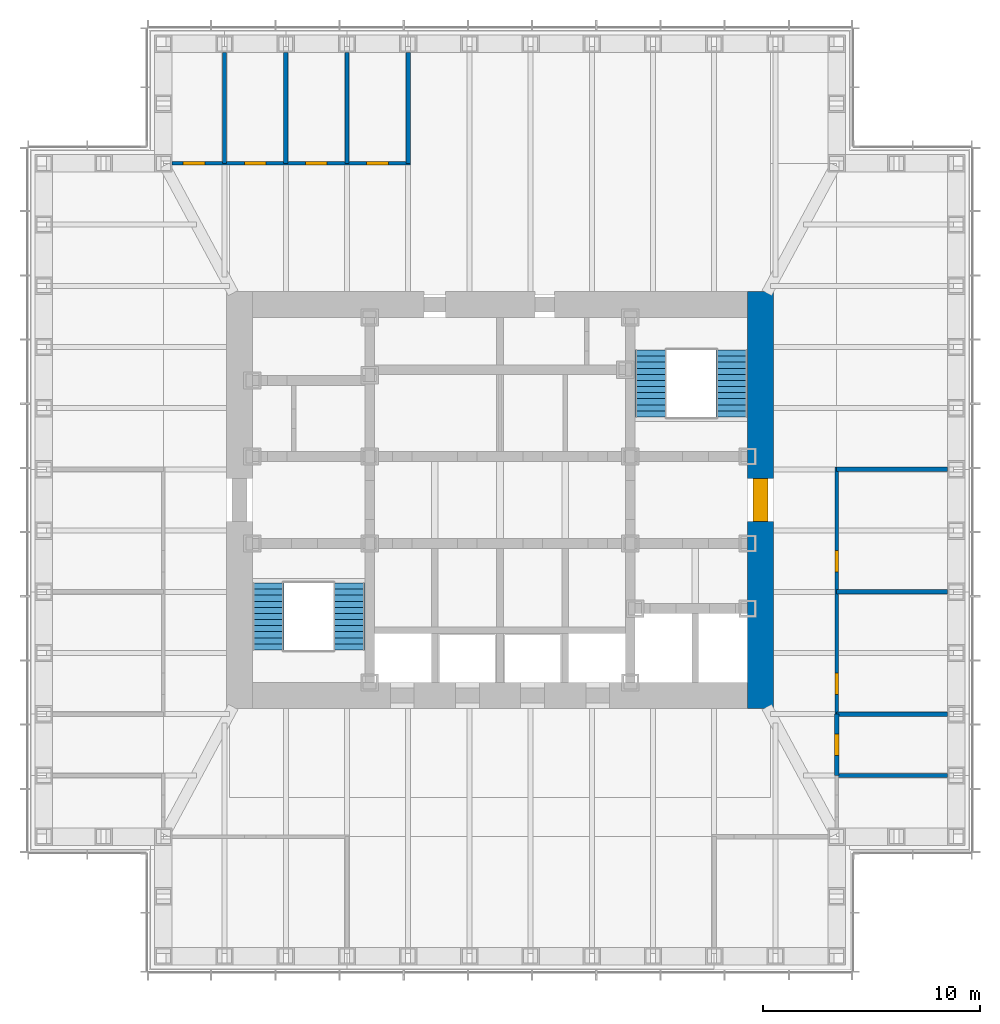
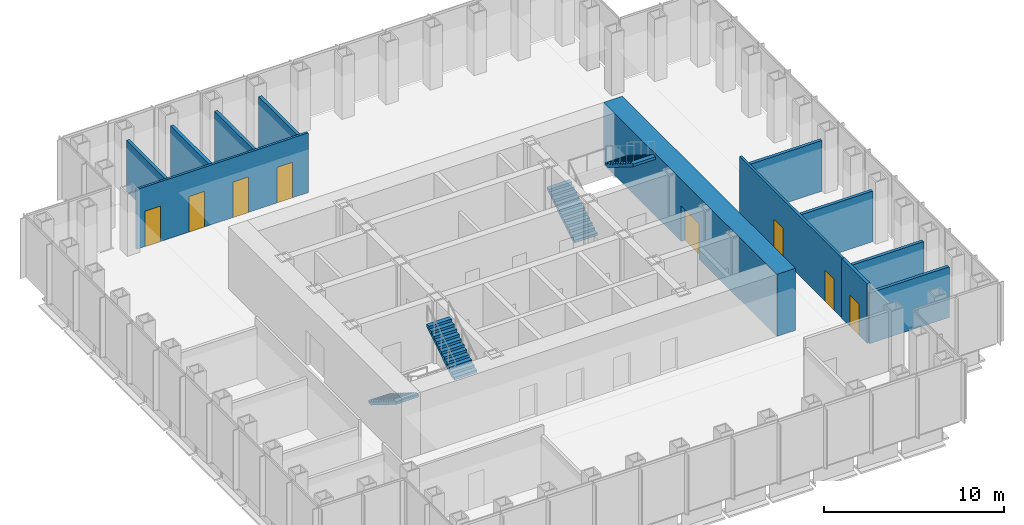
# One storey, part 10 of 16: 12 walls, 8 doors, 4 stair flights, 8 openings, 2 elements without a shape of their own.
"""IFC4 building model written with IfcOpenShell, lengths in metres."""

from ifc_helpers import new_model, si_unit, direction, frame, frame_2d, origin, place, context, subcontext, project, spatial, polyline, rectangle, outline, extrude, material, layer, layer_set, type_object, element, fill, aggregate, save


model = new_model("IFC4")

# Units and contexts
model_context = context("Model", 3, precision=1e-05, world=origin(), true_north=direction((0.0, 1.0)))
body_context = subcontext(model_context, "Body", "Model", "MODEL_VIEW")
ifc_project = project(units=[si_unit("LENGTHUNIT", "METRE"), si_unit("AREAUNIT", "SQUARE_METRE"), si_unit("VOLUMEUNIT", "CUBIC_METRE"), si_unit("PLANEANGLEUNIT", "RADIAN"), si_unit("MASSUNIT", "GRAM", prefix="KILO")], contexts=[model_context])

# Site, building, storey
site_placement = place(None, origin())
site = spatial("IfcSite", under=ifc_project, at=site_placement, CompositionType="ELEMENT")
building_placement = place(site_placement, origin())
building = spatial("IfcBuilding", under=site, at=building_placement, Name="Daluyong Arena Tower", CompositionType="ELEMENT")
storey_placement = place(building_placement, frame((0.0, 0.0, 231.699951171875)))
storey = spatial("IfcBuildingStorey", under=building, at=storey_placement, Name="L52", CompositionType="ELEMENT", Elevation=231.699951171875)

# Wall, opening, door
ifc_material_1 = material(Name="Concrete fc' 60 MPa", Category="concrete")
ifc_layer_1 = layer(ifc_material_1, 1.199951171875)
ifc_layer_set_1 = layer_set([ifc_layer_1], Name="Concrete fc' 60 MPa")
wall_type_1 = type_object("IfcWallType", Name="Core wall 1200", PredefinedType="SHEAR", material=ifc_layer_set_1)
wall_1_placement = place(storey_placement, frame((68.0, 70.39990234375, 0.0), z_axis=(0.0, 0.0, 1.0), x_axis=(0.0, 1.0, 0.0)))
wall_1 = element("IfcWall", 1, at=wall_1_placement, inside=storey, type_object=wall_type_1, Name="core wall at L52", PredefinedType="SHEAR", context=body_context, shape_type="SweptSolid", body=[
    extrude(rectangle(XDim=19.2001953125, YDim=1.199951171875, at=frame_2d((9.60009765625, 0.0))), origin(), (0.0, 0.0, 1.0), 4.199951171875),
])
opening_1_placement = place(wall_1_placement, frame((8.60009765625, 0.0, 0.0)))
opening_1 = element("IfcOpeningElement", 2, at=opening_1_placement, cuts=wall_1, Name="Opening 52018", PredefinedType="OPENING", context=body_context, shape_type="SweptSolid", body=[
    extrude(rectangle(XDim=2.0, YDim=2.39990234375, at=frame_2d((1.0, 1.199951171875))), frame((0.0, 0.60986328125, 0.0), z_axis=(0.0, -1.0, 0.0), x_axis=(1.0, 0.0, 0.0)), (0.0, 0.0, 1.0), 1.219970703125),
])
ifc_material_2 = material(Name="Steel door, fire rated", Category="steel")
door_type_1 = type_object("IfcDoorType", Name="Core lobby double door 2000", OperationType="DOUBLE_DOOR_SINGLE_SWING", PredefinedType="DOOR", material=ifc_material_2)
door_1_placement = place(opening_1_placement, origin())
door_1 = element("IfcDoor", 3, at=door_1_placement, inside=storey, type_object=door_type_1, Name="core lobby door east 52018", OperationType="DOUBLE_DOOR_SINGLE_SWING", OverallHeight=2.39990234375, OverallWidth=2.0, PredefinedType="DOOR", context=body_context, shape_type="SweptSolid", body=[
    extrude(rectangle(XDim=2.0, YDim=2.39990234375, at=frame_2d((1.0, 1.199951171875))), frame((0.0, 0.35009765625, 0.0), z_axis=(0.0, -1.0, 0.0), x_axis=(1.0, 0.0, 0.0)), (0.0, 0.0, 1.0), 0.699951171875),
])
fill(opening_1, door_1)

# Wall, openings, doors
ifc_material_3 = material(Name="Glazed aluminium partition", Category="aluminium")
ifc_layer_2 = layer(ifc_material_3, 0.14990234375)
ifc_layer_set_2 = layer_set([ifc_layer_2], Name="Glazed aluminium partition")
wall_type_2 = type_object("IfcWallType", Name="Glazed partition 150", PredefinedType="PARTITIONING", material=ifc_layer_set_2)
wall_2_placement = place(storey_placement, frame((40.89990234375, 95.5, 0.0), z_axis=(0.0, 0.0, 1.0), x_axis=(1.0, 0.0, 0.0)))
wall_2 = element("IfcWall", 4, at=wall_2_placement, inside=storey, type_object=wall_type_2, Name="glazed partition at L52", PredefinedType="PARTITIONING", context=body_context, shape_type="SweptSolid", body=[
    extrude(rectangle(XDim=10.972900390625, YDim=0.14990234375, at=frame_2d((5.486328125, 0.0))), origin(), (0.0, 0.0, 1.0), 4.0400390625),
])
opening_2_placement = place(wall_2_placement, frame((0.509033203125, 0.0, 0.0)))
opening_2 = element("IfcOpeningElement", 5, at=opening_2_placement, cuts=wall_2, Name="Opening 52034", PredefinedType="OPENING", context=body_context, shape_type="SweptSolid", body=[
    extrude(rectangle(XDim=1.0, YDim=2.39990234375, at=frame_2d((0.5, 1.199951171875))), frame((0.0, 0.0849609375, 0.0), z_axis=(0.0, -1.0, 0.0), x_axis=(1.0, 0.0, 0.0)), (0.0, 0.0, 1.0), 0.169921875),
])
opening_3_placement = place(wall_2_placement, frame((3.327392578125, 0.0, 0.0)))
opening_3 = element("IfcOpeningElement", 6, at=opening_3_placement, cuts=wall_2, Name="Opening 52035", PredefinedType="OPENING", context=body_context, shape_type="SweptSolid", body=[
    extrude(rectangle(XDim=1.0, YDim=2.39990234375, at=frame_2d((0.5, 1.199951171875))), frame((0.0, 0.0849609375, 0.0), z_axis=(0.0, -1.0, 0.0), x_axis=(1.0, 0.0, 0.0)), (0.0, 0.0, 1.0), 0.169921875),
])
opening_4_placement = place(wall_2_placement, frame((6.1455078125, 0.0, 0.0)))
opening_4 = element("IfcOpeningElement", 7, at=opening_4_placement, cuts=wall_2, Name="Opening 52036", PredefinedType="OPENING", context=body_context, shape_type="SweptSolid", body=[
    extrude(rectangle(XDim=1.0, YDim=2.39990234375, at=frame_2d((0.5, 1.199951171875))), frame((0.0, 0.0849609375, 0.0), z_axis=(0.0, -1.0, 0.0), x_axis=(1.0, 0.0, 0.0)), (0.0, 0.0, 1.0), 0.169921875),
])
opening_5_placement = place(wall_2_placement, frame((8.963623046875, 0.0, 0.0)))
opening_5 = element("IfcOpeningElement", 8, at=opening_5_placement, cuts=wall_2, Name="Opening 52037", PredefinedType="OPENING", context=body_context, shape_type="SweptSolid", body=[
    extrude(rectangle(XDim=1.0, YDim=2.39990234375, at=frame_2d((0.5, 1.199951171875))), frame((0.0, 0.0849609375, 0.0), z_axis=(0.0, -1.0, 0.0), x_axis=(1.0, 0.0, 0.0)), (0.0, 0.0, 1.0), 0.169921875),
])
ifc_material_4 = material(Name="Glazed aluminium door", Category="aluminium")
door_type_2 = type_object("IfcDoorType", Name="Meeting room glazed door 1000", OperationType="SINGLE_SWING_RIGHT", PredefinedType="DOOR", material=ifc_material_4)
door_2_placement = place(opening_2_placement, origin())
door_2 = element("IfcDoor", 9, at=door_2_placement, inside=storey, type_object=door_type_2, Name="focus room door 52034", OperationType="SINGLE_SWING_RIGHT", OverallHeight=2.39990234375, OverallWidth=1.0, PredefinedType="DOOR", context=body_context, shape_type="SweptSolid", body=[
    extrude(rectangle(XDim=1.0, YDim=2.39990234375, at=frame_2d((0.5, 1.199951171875))), frame((0.0, 0.07470703125, 0.0), z_axis=(0.0, -1.0, 0.0), x_axis=(1.0, 0.0, 0.0)), (0.0, 0.0, 1.0), 0.1494140625),
])
fill(opening_2, door_2)
door_3_placement = place(opening_3_placement, origin())
door_3 = element("IfcDoor", 10, at=door_3_placement, inside=storey, type_object=door_type_2, Name="focus room door 52035", OperationType="SINGLE_SWING_RIGHT", OverallHeight=2.39990234375, OverallWidth=1.0, PredefinedType="DOOR", context=body_context, shape_type="SweptSolid", body=[
    extrude(rectangle(XDim=1.0, YDim=2.39990234375, at=frame_2d((0.5, 1.199951171875))), frame((0.0, 0.07470703125, 0.0), z_axis=(0.0, -1.0, 0.0), x_axis=(1.0, 0.0, 0.0)), (0.0, 0.0, 1.0), 0.1494140625),
])
fill(opening_3, door_3)
door_4_placement = place(opening_4_placement, origin())
door_4 = element("IfcDoor", 11, at=door_4_placement, inside=storey, type_object=door_type_2, Name="focus room door 52036", OperationType="SINGLE_SWING_RIGHT", OverallHeight=2.39990234375, OverallWidth=1.0, PredefinedType="DOOR", context=body_context, shape_type="SweptSolid", body=[
    extrude(rectangle(XDim=1.0, YDim=2.39990234375, at=frame_2d((0.5, 1.199951171875))), frame((0.0, 0.07470703125, 0.0), z_axis=(0.0, -1.0, 0.0), x_axis=(1.0, 0.0, 0.0)), (0.0, 0.0, 1.0), 0.1494140625),
])
fill(opening_4, door_4)
door_5_placement = place(opening_5_placement, origin())
door_5 = element("IfcDoor", 12, at=door_5_placement, inside=storey, type_object=door_type_2, Name="focus room door 52037", OperationType="SINGLE_SWING_RIGHT", OverallHeight=2.39990234375, OverallWidth=1.0, PredefinedType="DOOR", context=body_context, shape_type="SweptSolid", body=[
    extrude(rectangle(XDim=1.0, YDim=2.39990234375, at=frame_2d((0.5, 1.199951171875))), frame((0.0, 0.07470703125, 0.0), z_axis=(0.0, -1.0, 0.0), x_axis=(1.0, 0.0, 0.0)), (0.0, 0.0, 1.0), 0.1494140625),
])
fill(opening_5, door_5)

wall_3_placement = place(storey_placement, frame((71.5, 70.136474609375, 0.0), z_axis=(0.0, 0.0, 1.0), x_axis=(0.0, 1.0, 0.0)))
wall_3 = element("IfcWall", 13, at=wall_3_placement, inside=storey, type_object=wall_type_2, Name="glazed partition at L52", PredefinedType="PARTITIONING", context=body_context, shape_type="SweptSolid", body=[
    extrude(rectangle(XDim=11.37255859375, YDim=0.14990234375, at=frame_2d((5.686279296875, 0.0))), origin(), (0.0, 0.0, 1.0), 4.0400390625),
])
opening_6_placement = place(wall_3_placement, frame((0.9091796875, 0.0, 0.0)))
opening_6 = element("IfcOpeningElement", 14, at=opening_6_placement, cuts=wall_3, Name="Opening 52032", PredefinedType="OPENING", context=body_context, shape_type="SweptSolid", body=[
    extrude(rectangle(XDim=1.0, YDim=2.10009765625, at=frame_2d((0.5, 1.050048828125))), frame((0.0, 0.0849609375, 0.0), z_axis=(0.0, -1.0, 0.0), x_axis=(1.0, 0.0, 0.0)), (0.0, 0.0, 1.0), 0.169921875),
])
opening_7_placement = place(wall_3_placement, frame((6.54541015625, 0.0, 0.0)))
opening_7 = element("IfcOpeningElement", 15, at=opening_7_placement, cuts=wall_3, Name="Opening 52033", PredefinedType="OPENING", context=body_context, shape_type="SweptSolid", body=[
    extrude(rectangle(XDim=1.0, YDim=2.10009765625, at=frame_2d((0.5, 1.050048828125))), frame((0.0, 0.0849609375, 0.0), z_axis=(0.0, -1.0, 0.0), x_axis=(1.0, 0.0, 0.0)), (0.0, 0.0, 1.0), 0.169921875),
])
ifc_material_5 = material(Name="Timber door", Category="wood")
door_type_3 = type_object("IfcDoorType", Name="Room door 1000", OperationType="SINGLE_SWING_LEFT", PredefinedType="DOOR", material=ifc_material_5)
door_6_placement = place(opening_6_placement, origin())
door_6 = element("IfcDoor", 16, at=door_6_placement, inside=storey, type_object=door_type_3, Name="executive office door 52032", OperationType="SINGLE_SWING_LEFT", OverallHeight=2.10009765625, OverallWidth=1.0, PredefinedType="DOOR", context=body_context, shape_type="SweptSolid", body=[
    extrude(rectangle(XDim=1.0, YDim=2.10009765625, at=frame_2d((0.5, 1.050048828125))), frame((0.0, 0.07470703125, 0.0), z_axis=(0.0, -1.0, 0.0), x_axis=(1.0, 0.0, 0.0)), (0.0, 0.0, 1.0), 0.1494140625),
])
fill(opening_6, door_6)
door_7_placement = place(opening_7_placement, origin())
door_7 = element("IfcDoor", 17, at=door_7_placement, inside=storey, type_object=door_type_3, Name="executive office door 52033", OperationType="SINGLE_SWING_LEFT", OverallHeight=2.10009765625, OverallWidth=1.0, PredefinedType="DOOR", context=body_context, shape_type="SweptSolid", body=[
    extrude(rectangle(XDim=1.0, YDim=2.10009765625, at=frame_2d((0.5, 1.050048828125))), frame((0.0, 0.07470703125, 0.0), z_axis=(0.0, -1.0, 0.0), x_axis=(1.0, 0.0, 0.0)), (0.0, 0.0, 1.0), 0.1494140625),
])
fill(opening_7, door_7)

# Walls
ifc_material_6 = material(Name="Concrete block partition", Category="concrete")
ifc_layer_3 = layer(ifc_material_6, 0.199951171875)
ifc_layer_set_3 = layer_set([ifc_layer_3], Name="Concrete block partition")
wall_type_3 = type_object("IfcWallType", Name="Partition 200", PredefinedType="PARTITIONING", material=ifc_layer_set_3)
for number, where, z_axis, x_axis, name in (
    (18, (71.5, 67.318115234375, 0.0), (0.0, 0.0, 1.0), (1.0, 0.0, 0.0), "partition at L52"),
    (19, (71.5, 70.136474609375, 0.0), (0.0, 0.0, 1.0), (1.0, 0.0, 0.0), "partition at L52"),
    (20, (71.5, 75.772705078125, 0.0), (0.0, 0.0, 1.0), (1.0, 0.0, 0.0), "partition at L52"),
    (21, (71.5, 81.4091796875, 0.0), (0.0, 0.0, 1.0), (1.0, 0.0, 0.0), "partition at L52"),
    (22, (43.318115234375, 95.5, 0.0), (0.0, 0.0, 1.0), (0.0, 1.0, 0.0), "partition at L52"),
    (23, (46.136474609375, 95.5, 0.0), (0.0, 0.0, 1.0), (0.0, 1.0, 0.0), "partition at L52"),
    (24, (48.95458984375, 95.5, 0.0), (0.0, 0.0, 1.0), (0.0, 1.0, 0.0), "partition at L52"),
    (25, (51.772705078125, 95.5, 0.0), (0.0, 0.0, 1.0), (0.0, 1.0, 0.0), "partition at L52"),
):
    element("IfcWall", number, at=place(storey_placement, frame(where, z_axis=z_axis, x_axis=x_axis)), inside=storey, type_object=wall_type_3, Name=name, PredefinedType="PARTITIONING", context=body_context, shape_type="SweptSolid", body=[
        extrude(rectangle(XDim=5.10009765625, YDim=0.199951171875, at=frame_2d((2.550048828125, 0.0))), origin(), (0.0, 0.0, 1.0), 3.427978515625),
    ])

# Wall, opening, door
wall_4_placement = place(storey_placement, frame((71.5, 67.318115234375, 0.0), z_axis=(0.0, 0.0, 1.0), x_axis=(0.0, 1.0, 0.0)))
wall_4 = element("IfcWall", 26, at=wall_4_placement, inside=storey, type_object=wall_type_3, Name="partition at L52", PredefinedType="PARTITIONING", context=body_context, shape_type="SweptSolid", body=[
    extrude(rectangle(XDim=2.818359375, YDim=0.199951171875, at=frame_2d((1.4091796875, 0.0))), origin(), (0.0, 0.0, 1.0), 4.0400390625),
])
opening_8_placement = place(wall_4_placement, frame((0.9091796875, 0.0, 0.0)))
opening_8 = element("IfcOpeningElement", 27, at=opening_8_placement, cuts=wall_4, Name="Opening 52031", PredefinedType="OPENING", context=body_context, shape_type="SweptSolid", body=[
    extrude(rectangle(XDim=1.0, YDim=2.10009765625, at=frame_2d((0.5, 1.050048828125))), frame((0.0, 0.10986328125, 0.0), z_axis=(0.0, -1.0, 0.0), x_axis=(1.0, 0.0, 0.0)), (0.0, 0.0, 1.0), 0.219970703125),
])
door_8_placement = place(opening_8_placement, origin())
door_8 = element("IfcDoor", 28, at=door_8_placement, inside=storey, type_object=door_type_3, Name="quiet room door 52031", OperationType="SINGLE_SWING_LEFT", OverallHeight=2.10009765625, OverallWidth=1.0, PredefinedType="DOOR", context=body_context, shape_type="SweptSolid", body=[
    extrude(rectangle(XDim=1.0, YDim=2.10009765625, at=frame_2d((0.5, 1.050048828125))), frame((0.0, 0.099609375, 0.0), z_axis=(0.0, -1.0, 0.0), x_axis=(1.0, 0.0, 0.0)), (0.0, 0.0, 1.0), 0.199462890625),
])
fill(opening_8, door_8)

# Stair, stair flights
ifc_material_7 = material(Name="Concrete fc' 35 MPa", Category="concrete")
stair_type = type_object("IfcStairType", Name="Core exit stair", PredefinedType="HALF_TURN_STAIR", material=ifc_material_7)
stair_1_placement = place(storey_placement, origin())
stair_1 = element("IfcStair", 29, at=stair_1_placement, inside=storey, type_object=stair_type, Name="exit stair A L52", PredefinedType="HALF_TURN_STAIR")
ifc_material_8 = material(Name="Concrete fc' 35 MPa", Category="concrete")
stair_flight_type = type_object("IfcStairFlightType", Name="Core stair flight", PredefinedType="STRAIGHT", material=ifc_material_8)
stair_flight_1_placement = place(storey_placement, frame((45.324951171875, 76.175048828125, 0.0), z_axis=(0.0, 0.0, 1.0), x_axis=(0.0, -1.0, 0.0)))
stair_flight_1 = element("IfcStairFlight", 30, at=stair_flight_1_placement, type_object=stair_flight_type, Name="STA flight 1", NumberOfRisers=12, NumberOfTreads=11, PredefinedType="STRAIGHT", RiserHeight=0.175, TreadLength=0.28, context=body_context, shape_type="SweptSolid", body=[
    extrude(outline(polyline([(0.0, 0.0), (0.0, 0.175048828125), (0.280029296875, 0.175048828125), (0.280029296875, 0.35009765625), (0.56005859375, 0.35009765625), (0.56005859375, 0.52490234375), (0.840087890625, 0.52490234375), (0.840087890625, 0.699951171875), (1.1201171875, 0.699951171875), (1.1201171875, 0.875), (1.39990234375, 0.875), (1.39990234375, 1.050048828125), (1.679931640625, 1.050048828125), (1.679931640625, 1.22509765625), (1.9599609375, 1.22509765625), (1.9599609375, 1.39990234375), (2.239990234375, 1.39990234375), (2.239990234375, 1.574951171875), (2.52001953125, 1.574951171875), (2.52001953125, 1.75), (2.800048828125, 1.75), (2.800048828125, 1.925048828125), (3.080078125, 1.925048828125), (3.080078125, 2.10009765625), (3.080078125, 1.748291015625), (0.28271484375, 0.0), (0.0, 0.0)])), frame((0.0, 0.72509765625, 0.0), z_axis=(0.0, -1.0, 0.0), x_axis=(1.0, 0.0, 0.0)), (0.0, 0.0, 1.0), 1.449951171875),
])
stair_flight_2_placement = place(storey_placement, frame((49.050048828125, 73.094970703125, 2.10009765625), z_axis=(0.0, 0.0, 1.0), x_axis=(0.0, 1.0, 0.0)))
stair_flight_2 = element("IfcStairFlight", 31, at=stair_flight_2_placement, type_object=stair_flight_type, Name="STA flight 2", NumberOfRisers=12, NumberOfTreads=11, PredefinedType="STRAIGHT", RiserHeight=0.175, TreadLength=0.28, context=body_context, shape_type="SweptSolid", body=[
    extrude(outline(polyline([(0.0, 0.0), (0.0, 0.175048828125), (0.280029296875, 0.175048828125), (0.280029296875, 0.35009765625), (0.56005859375, 0.35009765625), (0.56005859375, 0.52490234375), (0.840087890625, 0.52490234375), (0.840087890625, 0.699951171875), (1.1201171875, 0.699951171875), (1.1201171875, 0.875), (1.39990234375, 0.875), (1.39990234375, 1.050048828125), (1.679931640625, 1.050048828125), (1.679931640625, 1.22509765625), (1.9599609375, 1.22509765625), (1.9599609375, 1.39990234375), (2.239990234375, 1.39990234375), (2.239990234375, 1.574951171875), (2.52001953125, 1.574951171875), (2.52001953125, 1.75), (2.800048828125, 1.75), (2.800048828125, 1.925048828125), (3.080078125, 1.925048828125), (3.080078125, 2.10009765625), (3.080078125, 1.748291015625), (0.28271484375, 0.0), (0.0, 0.0)])), frame((0.0, 0.72509765625, 0.0), z_axis=(0.0, -1.0, 0.0), x_axis=(1.0, 0.0, 0.0)), (0.0, 0.0, 1.0), 1.449951171875),
])
aggregate(stair_1, [stair_flight_1, stair_flight_2])

stair_2_placement = place(storey_placement, origin())
stair_2 = element("IfcStair", 32, at=stair_2_placement, inside=storey, type_object=stair_type, Name="exit stair B L52", PredefinedType="HALF_TURN_STAIR")
stair_flight_3_placement = place(storey_placement, frame((62.949951171875, 83.824951171875, 0.0), z_axis=(0.0, 0.0, 1.0), x_axis=(0.0, 1.0, 0.0)))
stair_flight_3 = element("IfcStairFlight", 33, at=stair_flight_3_placement, type_object=stair_flight_type, Name="STB flight 1", NumberOfRisers=12, NumberOfTreads=11, PredefinedType="STRAIGHT", RiserHeight=0.175, TreadLength=0.28, context=body_context, shape_type="SweptSolid", body=[
    extrude(outline(polyline([(0.0, 0.0), (0.0, 0.175048828125), (0.280029296875, 0.175048828125), (0.280029296875, 0.35009765625), (0.56005859375, 0.35009765625), (0.56005859375, 0.52490234375), (0.840087890625, 0.52490234375), (0.840087890625, 0.699951171875), (1.1201171875, 0.699951171875), (1.1201171875, 0.875), (1.39990234375, 0.875), (1.39990234375, 1.050048828125), (1.679931640625, 1.050048828125), (1.679931640625, 1.22509765625), (1.9599609375, 1.22509765625), (1.9599609375, 1.39990234375), (2.239990234375, 1.39990234375), (2.239990234375, 1.574951171875), (2.52001953125, 1.574951171875), (2.52001953125, 1.75), (2.800048828125, 1.75), (2.800048828125, 1.925048828125), (3.080078125, 1.925048828125), (3.080078125, 2.10009765625), (3.080078125, 1.748291015625), (0.28271484375, 0.0), (0.0, 0.0)])), frame((0.0, 0.72509765625, 0.0), z_axis=(0.0, -1.0, 0.0), x_axis=(1.0, 0.0, 0.0)), (0.0, 0.0, 1.0), 1.449951171875),
])
stair_flight_4_placement = place(storey_placement, frame((66.675048828125, 86.905029296875, 2.10009765625), z_axis=(0.0, 0.0, 1.0), x_axis=(0.0, -1.0, 0.0)))
stair_flight_4 = element("IfcStairFlight", 34, at=stair_flight_4_placement, type_object=stair_flight_type, Name="STB flight 2", NumberOfRisers=12, NumberOfTreads=11, PredefinedType="STRAIGHT", RiserHeight=0.175, TreadLength=0.28, context=body_context, shape_type="SweptSolid", body=[
    extrude(outline(polyline([(0.0, 0.0), (0.0, 0.175048828125), (0.280029296875, 0.175048828125), (0.280029296875, 0.35009765625), (0.56005859375, 0.35009765625), (0.56005859375, 0.52490234375), (0.840087890625, 0.52490234375), (0.840087890625, 0.699951171875), (1.1201171875, 0.699951171875), (1.1201171875, 0.875), (1.39990234375, 0.875), (1.39990234375, 1.050048828125), (1.679931640625, 1.050048828125), (1.679931640625, 1.22509765625), (1.9599609375, 1.22509765625), (1.9599609375, 1.39990234375), (2.239990234375, 1.39990234375), (2.239990234375, 1.574951171875), (2.52001953125, 1.574951171875), (2.52001953125, 1.75), (2.800048828125, 1.75), (2.800048828125, 1.925048828125), (3.080078125, 1.925048828125), (3.080078125, 2.10009765625), (3.080078125, 1.748291015625), (0.28271484375, 0.0), (0.0, 0.0)])), frame((0.0, 0.72509765625, 0.0), z_axis=(0.0, -1.0, 0.0), x_axis=(1.0, 0.0, 0.0)), (0.0, 0.0, 1.0), 1.449951171875),
])
aggregate(stair_2, [stair_flight_3, stair_flight_4])

save(model, "model.ifc")
